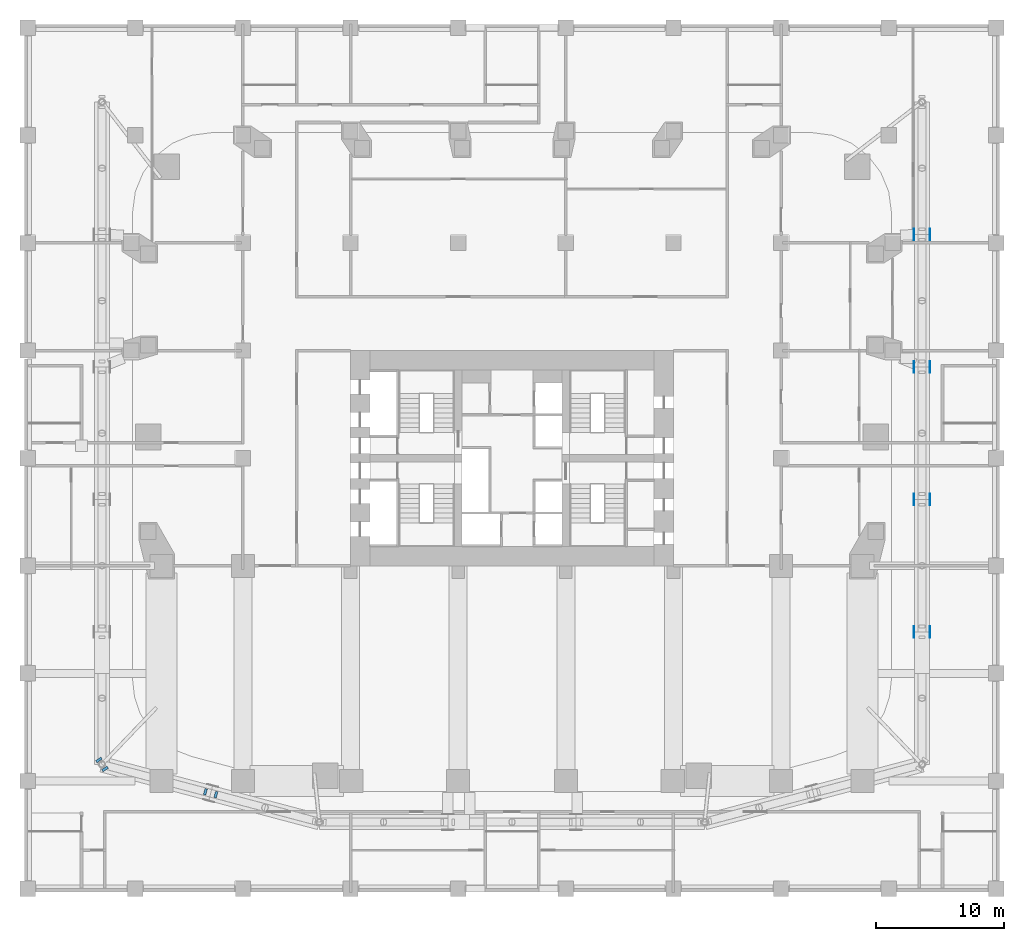
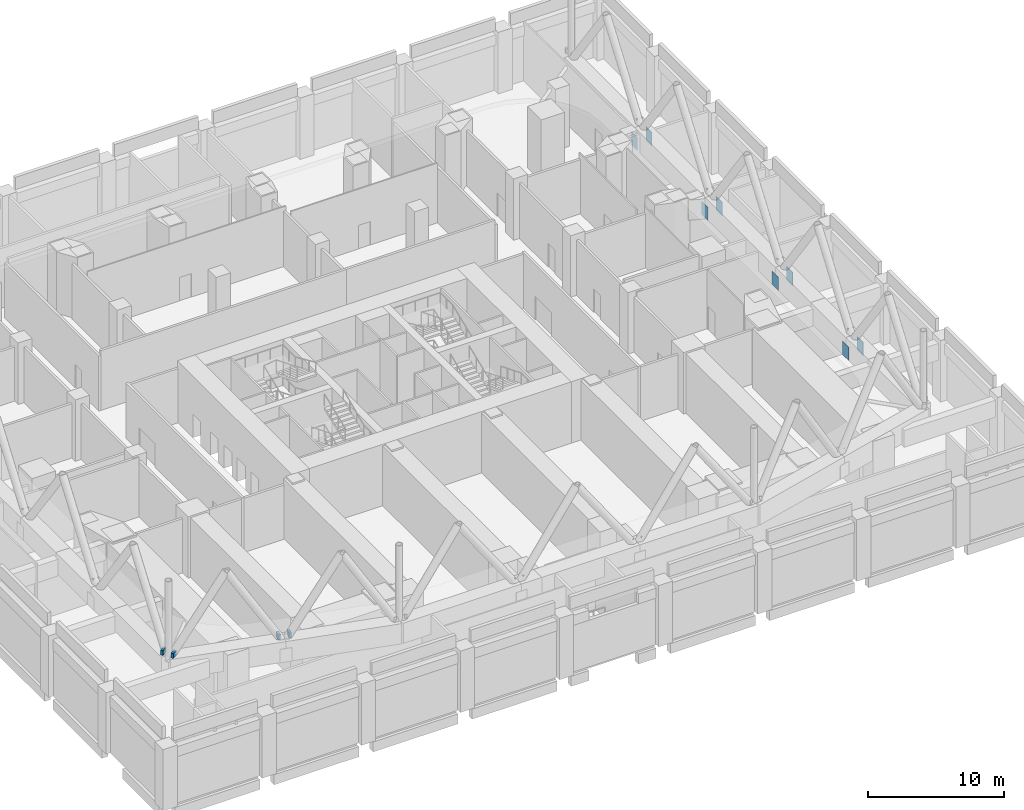
# One storey, part 14 of 17: 12 discrete accessories.
"""IFC4 building model written with IfcOpenShell, lengths in metres."""

from ifc_helpers import new_model, si_unit, direction, frame, origin, origin_2d, place, context, subcontext, project, spatial, rectangle, extrude, material, layer, layer_set, type_object, element, save


model = new_model("IFC4")

# Units and contexts
model_context = context("Model", 3, precision=1e-05, world=origin(), true_north=direction((0.0, 1.0)))
body_context = subcontext(model_context, "Body", "Model", "MODEL_VIEW")
ifc_project = project(units=[si_unit("LENGTHUNIT", "METRE"), si_unit("AREAUNIT", "SQUARE_METRE"), si_unit("VOLUMEUNIT", "CUBIC_METRE"), si_unit("PLANEANGLEUNIT", "RADIAN"), si_unit("MASSUNIT", "GRAM", prefix="KILO")], contexts=[model_context])

# Site, building, storey
site_placement = place(None, origin())
site = spatial("IfcSite", under=ifc_project, at=site_placement, CompositionType="ELEMENT")
building_placement = place(site_placement, origin())
building = spatial("IfcBuilding", under=site, at=building_placement, Name="Marenta Gate Hotel Tower", CompositionType="ELEMENT")
storey_placement = place(building_placement, frame((0.0, 0.0, 31.0)))
storey = spatial("IfcBuildingStorey", under=building, at=storey_placement, Name="L05", CompositionType="ELEMENT", Elevation=31.0)

# Discrete accessories
ifc_material_1 = material(Name="Steel S355J2W", Category="steel")
ifc_layer_1 = layer(ifc_material_1, 0.02490234375)
ifc_layer_set_1 = layer_set([ifc_layer_1], Name="Steel S355J2W")
discrete_accessory_type_1 = type_object("IfcDiscreteAccessoryType", Name="Girder splice plate 25 mm", PredefinedType="BRACKET", material=ifc_layer_set_1)
for number, where, z_axis, x_axis, name in (
    (1, (31.387451171875, 25.860107421875, 3.7001953125), (0.0, 0.0, 1.0), (0.0, -1.0, 0.0), "SP1 Girder splice plate"),
    (2, (32.612548828125, 25.860107421875, 3.7001953125), (0.0, 0.0, 1.0), (0.0, -1.0, 0.0), "SP1 Girder splice plate"),
    (3, (31.387451171875, 15.52001953125, 3.7001953125), (0.0, 0.0, 1.0), (0.0, -1.0, 0.0), "SP1 Girder splice plate"),
    (4, (32.612548828125, 15.52001953125, 3.7001953125), (0.0, 0.0, 1.0), (0.0, -1.0, 0.0), "SP1 Girder splice plate"),
    (5, (31.387451171875, 5.179931640625, 3.7001953125), (0.0, 0.0, 1.0), (0.0, -1.0, 0.0), "SP1 Girder splice plate"),
    (6, (32.612548828125, 5.179931640625, 3.7001953125), (0.0, 0.0, 1.0), (0.0, -1.0, 0.0), "SP1 Girder splice plate"),
    (7, (31.387451171875, -5.16015625, 3.7001953125), (0.0, 0.0, 1.0), (0.0, -1.0, 0.0), "SP1 Girder splice plate"),
    (8, (32.612548828125, -5.16015625, 3.7001953125), (0.0, 0.0, 1.0), (0.0, -1.0, 0.0), "SP1 Girder splice plate"),
):
    element("IfcDiscreteAccessory", number, at=place(storey_placement, frame(where, z_axis=z_axis, x_axis=x_axis)), inside=storey, type_object=discrete_accessory_type_1, Name=name, PredefinedType="BRACKET", context=body_context, shape_type="SweptSolid", body=[
        extrude(rectangle(XDim=0.89990234375, YDim=0.02490234375, at=origin_2d()), origin(), (0.0, 0.0, 1.0), 1.199951171875),
    ])
ifc_material_2 = material(Name="Steel S355J2W", Category="steel")
ifc_layer_2 = layer(ifc_material_2, 0.02001953125)
ifc_layer_set_2 = layer_set([ifc_layer_2], Name="Steel S355J2W")
discrete_accessory_type_2 = type_object("IfcDiscreteAccessoryType", Name="Node base gusset bracket 20 mm", PredefinedType="BRACKET", material=ifc_layer_set_2)
for number, where, z_axis, x_axis, name in (
    (9, (-23.108642578125, -17.859130859375, 5.5), (0.0, 0.0, 1.0), (-0.966561622525, 0.256434455293, 0.0), "GB2 Node base gusset bracket"),
    (10, (-23.930419921875, -17.64111328125, 5.5), (0.0, 0.0, 1.0), (-0.966561622525, 0.256434455293, 0.0), "GB2 Node base gusset bracket"),
    (11, (-31.7626953125, -15.8525390625, 5.5), (0.0, 0.0, 1.0), (-0.558670445898, 0.829389735215, 0.0), "GB2 Node base gusset bracket"),
    (12, (-32.2373046875, -15.147705078125, 5.5), (0.0, 0.0, 1.0), (-0.558670445898, 0.829389735215, 0.0), "GB2 Node base gusset bracket"),
):
    element("IfcDiscreteAccessory", number, at=place(storey_placement, frame(where, z_axis=z_axis, x_axis=x_axis)), inside=storey, type_object=discrete_accessory_type_2, Name=name, PredefinedType="BRACKET", context=body_context, shape_type="SweptSolid", body=[
        extrude(rectangle(XDim=0.199951171875, YDim=0.5, at=origin_2d()), origin(), (0.0, 0.0, 1.0), 0.449951171875),
    ])

save(model, "model.ifc")
